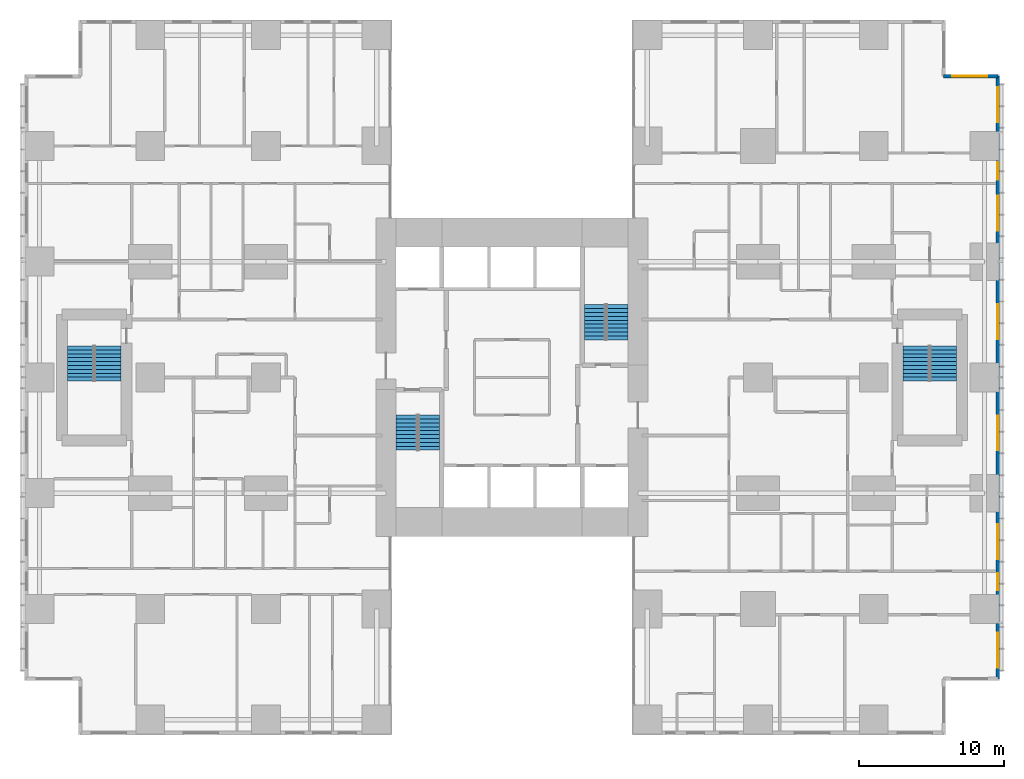
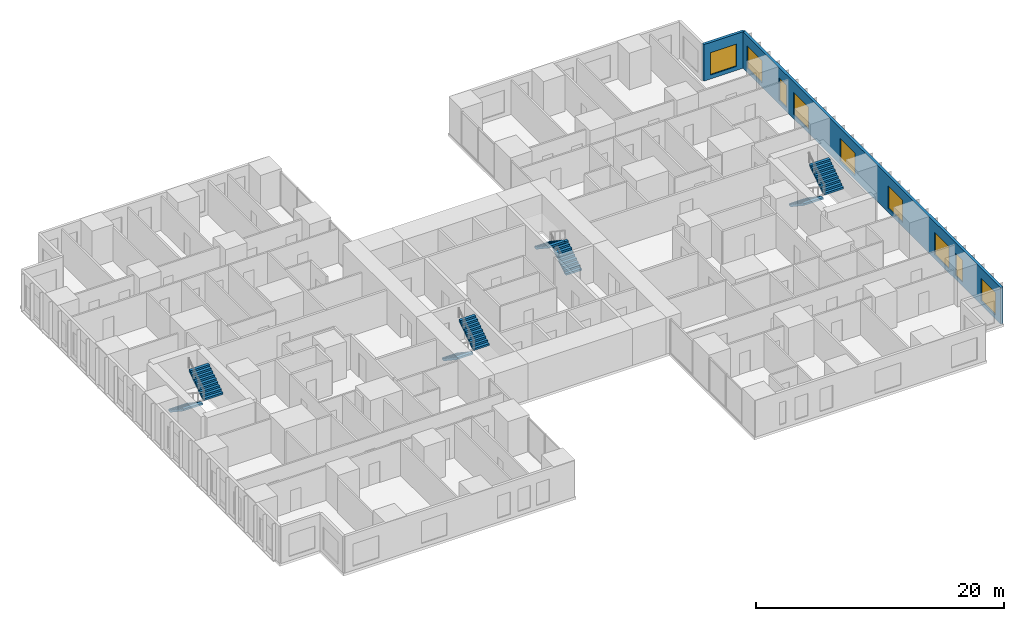
# One storey, part 19 of 20: 9 windows, 8 stair flights, 2 walls, 9 openings, 4 elements without a shape of their own.
"""IFC4 building model written with IfcOpenShell, lengths in metres."""

from ifc_helpers import new_model, si_unit, direction, frame, frame_2d, origin, place, context, subcontext, project, spatial, polyline, rectangle, outline, extrude, material, layer, layer_set, type_object, element, fill, aggregate, save


model = new_model("IFC4")

# Units and contexts
model_context = context("Model", 3, precision=1e-05, world=origin(), true_north=direction((0.0, 1.0)))
body_context = subcontext(model_context, "Body", "Model", "MODEL_VIEW")
ifc_project = project(units=[si_unit("LENGTHUNIT", "METRE"), si_unit("AREAUNIT", "SQUARE_METRE"), si_unit("VOLUMEUNIT", "CUBIC_METRE"), si_unit("PLANEANGLEUNIT", "RADIAN"), si_unit("MASSUNIT", "GRAM", prefix="KILO")], contexts=[model_context])

# Site, building, storey
site_placement = place(None, origin())
site = spatial("IfcSite", under=ifc_project, at=site_placement, CompositionType="ELEMENT")
building_placement = place(site_placement, origin())
building = spatial("IfcBuilding", under=site, at=building_placement, Name="Cleftline Residences", CompositionType="ELEMENT")
storey_placement = place(building_placement, frame((0.0, 0.0, 99.800048828125)))
storey = spatial("IfcBuildingStorey", under=building, at=storey_placement, Name="L25", CompositionType="ELEMENT", Elevation=99.800048828125)

# Wall, openings, windows
ifc_material_1 = material(Name="Rendered reinforced concrete blockwork", Category="masonry")
ifc_layer = layer(ifc_material_1, 0.25)
ifc_layer_set = layer_set([ifc_layer], Name="EXTERNAL WALL 250")
wall_type = type_object("IfcWallType", Name="EXTERNAL WALL 250", PredefinedType="SOLIDWALL", material=ifc_layer_set)
wall_1_placement = place(storey_placement, frame((66.574951171875, 3.175048828125, 0.0), z_axis=(0.0, 0.0, 1.0), x_axis=(0.0, 1.0, 0.0)))
wall_1 = element("IfcWall", 1, at=wall_1_placement, inside=storey, type_object=wall_type, Name="External wall", PredefinedType="SOLIDWALL", context=body_context, shape_type="SweptSolid", body=[
    extrude(rectangle(XDim=41.64990234375, YDim=0.25, at=frame_2d((20.824951171875, 0.0))), origin(), (0.0, 0.0, 1.0), 3.599853515625),
])
opening_1_placement = place(wall_1_placement, frame((0.77490234375, 0.0, 0.39990234375)))
opening_1 = element("IfcOpeningElement", 2, at=opening_1_placement, cuts=wall_1, Name="Opening W12", PredefinedType="OPENING", context=body_context, shape_type="SweptSolid", body=[
    extrude(rectangle(XDim=2.39990234375, YDim=2.199951171875, at=frame_2d((1.199951171875, 1.10009765625))), frame((0.0, 0.135009765625, 0.0), z_axis=(0.0, -1.0, 0.0), x_axis=(1.0, 0.0, 0.0)), (0.0, 0.0, 1.0), 0.27001953125),
])
opening_2_placement = place(wall_1_placement, frame((6.10009765625, 0.0, 0.39990234375)))
opening_2 = element("IfcOpeningElement", 3, at=opening_2_placement, cuts=wall_1, Name="Opening W11", PredefinedType="OPENING", context=body_context, shape_type="SweptSolid", body=[
    extrude(rectangle(XDim=1.199951171875, YDim=2.199951171875, at=frame_2d((0.60009765625, 1.10009765625))), frame((0.0, 0.135009765625, 0.0), z_axis=(0.0, -1.0, 0.0), x_axis=(1.0, 0.0, 0.0)), (0.0, 0.0, 1.0), 0.27001953125),
])
opening_3_placement = place(wall_1_placement, frame((8.27490234375, 0.0, 0.39990234375)))
opening_3 = element("IfcOpeningElement", 4, at=opening_3_placement, cuts=wall_1, Name="Opening W12", PredefinedType="OPENING", context=body_context, shape_type="SweptSolid", body=[
    extrude(rectangle(XDim=2.39990234375, YDim=2.199951171875, at=frame_2d((1.199951171875, 1.10009765625))), frame((0.0, 0.135009765625, 0.0), z_axis=(0.0, -1.0, 0.0), x_axis=(1.0, 0.0, 0.0)), (0.0, 0.0, 1.0), 0.27001953125),
])
opening_4_placement = place(wall_1_placement, frame((15.77490234375, 0.0, 0.39990234375)))
opening_4 = element("IfcOpeningElement", 5, at=opening_4_placement, cuts=wall_1, Name="Opening W12", PredefinedType="OPENING", context=body_context, shape_type="SweptSolid", body=[
    extrude(rectangle(XDim=2.39990234375, YDim=2.199951171875, at=frame_2d((1.199951171875, 1.10009765625))), frame((0.0, 0.135009765625, 0.0), z_axis=(0.0, -1.0, 0.0), x_axis=(1.0, 0.0, 0.0)), (0.0, 0.0, 1.0), 0.27001953125),
])
opening_5_placement = place(wall_1_placement, frame((23.47509765625, 0.0, 0.39990234375)))
opening_5 = element("IfcOpeningElement", 6, at=opening_5_placement, cuts=wall_1, Name="Opening W12", PredefinedType="OPENING", context=body_context, shape_type="SweptSolid", body=[
    extrude(rectangle(XDim=2.39990234375, YDim=2.199951171875, at=frame_2d((1.199951171875, 1.10009765625))), frame((0.0, 0.135009765625, 0.0), z_axis=(0.0, -1.0, 0.0), x_axis=(1.0, 0.0, 0.0)), (0.0, 0.0, 1.0), 0.27001953125),
])
opening_6_placement = place(wall_1_placement, frame((30.97509765625, 0.0, 0.39990234375)))
opening_6 = element("IfcOpeningElement", 7, at=opening_6_placement, cuts=wall_1, Name="Opening W12", PredefinedType="OPENING", context=body_context, shape_type="SweptSolid", body=[
    extrude(rectangle(XDim=2.39990234375, YDim=2.199951171875, at=frame_2d((1.199951171875, 1.10009765625))), frame((0.0, 0.135009765625, 0.0), z_axis=(0.0, -1.0, 0.0), x_axis=(1.0, 0.0, 0.0)), (0.0, 0.0, 1.0), 0.27001953125),
])
opening_7_placement = place(wall_1_placement, frame((34.5, 0.0, 0.39990234375)))
opening_7 = element("IfcOpeningElement", 8, at=opening_7_placement, cuts=wall_1, Name="Opening W11", PredefinedType="OPENING", context=body_context, shape_type="SweptSolid", body=[
    extrude(rectangle(XDim=1.199951171875, YDim=2.199951171875, at=frame_2d((0.60009765625, 1.10009765625))), frame((0.0, 0.135009765625, 0.0), z_axis=(0.0, -1.0, 0.0), x_axis=(1.0, 0.0, 0.0)), (0.0, 0.0, 1.0), 0.27001953125),
])
opening_8_placement = place(wall_1_placement, frame((38.47509765625, 0.0, 0.39990234375)))
opening_8 = element("IfcOpeningElement", 9, at=opening_8_placement, cuts=wall_1, Name="Opening W12", PredefinedType="OPENING", context=body_context, shape_type="SweptSolid", body=[
    extrude(rectangle(XDim=2.39990234375, YDim=2.199951171875, at=frame_2d((1.199951171875, 1.10009765625))), frame((0.0, 0.135009765625, 0.0), z_axis=(0.0, -1.0, 0.0), x_axis=(1.0, 0.0, 0.0)), (0.0, 0.0, 1.0), 0.27001953125),
])
ifc_material_2 = material(Name="Aluminium frame, clear double glazing", Category="aluminium")
window_type_1 = type_object("IfcWindowType", Name="WINDOW 1200X2200", PartitioningType="DOUBLE_PANEL_VERTICAL", PredefinedType="WINDOW", material=ifc_material_2)
window_1_placement = place(opening_2_placement, origin())
window_1 = element("IfcWindow", 10, at=window_1_placement, inside=storey, type_object=window_type_1, Name="Window", OverallHeight=2.199951171875, OverallWidth=1.199951171875, PartitioningType="SINGLE_PANEL", PredefinedType="WINDOW", context=body_context, shape_type="SweptSolid", body=[
    extrude(rectangle(XDim=1.199951171875, YDim=2.199951171875, at=frame_2d((0.60009765625, 1.10009765625))), frame((0.0, 0.030029296875, 0.0), z_axis=(0.0, -1.0, 0.0), x_axis=(1.0, 0.0, 0.0)), (0.0, 0.0, 1.0), 0.06005859375),
])
fill(opening_2, window_1)
window_2_placement = place(opening_7_placement, origin())
window_2 = element("IfcWindow", 11, at=window_2_placement, inside=storey, type_object=window_type_1, Name="Window", OverallHeight=2.199951171875, OverallWidth=1.199951171875, PartitioningType="SINGLE_PANEL", PredefinedType="WINDOW", context=body_context, shape_type="SweptSolid", body=[
    extrude(rectangle(XDim=1.199951171875, YDim=2.199951171875, at=frame_2d((0.60009765625, 1.10009765625))), frame((0.0, 0.030029296875, 0.0), z_axis=(0.0, -1.0, 0.0), x_axis=(1.0, 0.0, 0.0)), (0.0, 0.0, 1.0), 0.06005859375),
])
fill(opening_7, window_2)
ifc_material_3 = material(Name="Aluminium frame, clear double glazing", Category="aluminium")
window_type_2 = type_object("IfcWindowType", Name="WINDOW 2400X2200", PartitioningType="DOUBLE_PANEL_VERTICAL", PredefinedType="WINDOW", material=ifc_material_3)
window_3_placement = place(opening_1_placement, origin())
window_3 = element("IfcWindow", 12, at=window_3_placement, inside=storey, type_object=window_type_2, Name="Window", OverallHeight=2.199951171875, OverallWidth=2.39990234375, PartitioningType="SINGLE_PANEL", PredefinedType="WINDOW", context=body_context, shape_type="SweptSolid", body=[
    extrude(rectangle(XDim=2.39990234375, YDim=2.199951171875, at=frame_2d((1.199951171875, 1.10009765625))), frame((0.0, 0.030029296875, 0.0), z_axis=(0.0, -1.0, 0.0), x_axis=(1.0, 0.0, 0.0)), (0.0, 0.0, 1.0), 0.06005859375),
])
fill(opening_1, window_3)
window_4_placement = place(opening_3_placement, origin())
window_4 = element("IfcWindow", 13, at=window_4_placement, inside=storey, type_object=window_type_2, Name="Window", OverallHeight=2.199951171875, OverallWidth=2.39990234375, PartitioningType="SINGLE_PANEL", PredefinedType="WINDOW", context=body_context, shape_type="SweptSolid", body=[
    extrude(rectangle(XDim=2.39990234375, YDim=2.199951171875, at=frame_2d((1.199951171875, 1.10009765625))), frame((0.0, 0.030029296875, 0.0), z_axis=(0.0, -1.0, 0.0), x_axis=(1.0, 0.0, 0.0)), (0.0, 0.0, 1.0), 0.06005859375),
])
fill(opening_3, window_4)
window_5_placement = place(opening_4_placement, origin())
window_5 = element("IfcWindow", 14, at=window_5_placement, inside=storey, type_object=window_type_2, Name="Window", OverallHeight=2.199951171875, OverallWidth=2.39990234375, PartitioningType="SINGLE_PANEL", PredefinedType="WINDOW", context=body_context, shape_type="SweptSolid", body=[
    extrude(rectangle(XDim=2.39990234375, YDim=2.199951171875, at=frame_2d((1.199951171875, 1.10009765625))), frame((0.0, 0.030029296875, 0.0), z_axis=(0.0, -1.0, 0.0), x_axis=(1.0, 0.0, 0.0)), (0.0, 0.0, 1.0), 0.06005859375),
])
fill(opening_4, window_5)
window_6_placement = place(opening_5_placement, origin())
window_6 = element("IfcWindow", 15, at=window_6_placement, inside=storey, type_object=window_type_2, Name="Window", OverallHeight=2.199951171875, OverallWidth=2.39990234375, PartitioningType="SINGLE_PANEL", PredefinedType="WINDOW", context=body_context, shape_type="SweptSolid", body=[
    extrude(rectangle(XDim=2.39990234375, YDim=2.199951171875, at=frame_2d((1.199951171875, 1.10009765625))), frame((0.0, 0.030029296875, 0.0), z_axis=(0.0, -1.0, 0.0), x_axis=(1.0, 0.0, 0.0)), (0.0, 0.0, 1.0), 0.06005859375),
])
fill(opening_5, window_6)
window_7_placement = place(opening_6_placement, origin())
window_7 = element("IfcWindow", 16, at=window_7_placement, inside=storey, type_object=window_type_2, Name="Window", OverallHeight=2.199951171875, OverallWidth=2.39990234375, PartitioningType="SINGLE_PANEL", PredefinedType="WINDOW", context=body_context, shape_type="SweptSolid", body=[
    extrude(rectangle(XDim=2.39990234375, YDim=2.199951171875, at=frame_2d((1.199951171875, 1.10009765625))), frame((0.0, 0.030029296875, 0.0), z_axis=(0.0, -1.0, 0.0), x_axis=(1.0, 0.0, 0.0)), (0.0, 0.0, 1.0), 0.06005859375),
])
fill(opening_6, window_7)
window_8_placement = place(opening_8_placement, origin())
window_8 = element("IfcWindow", 17, at=window_8_placement, inside=storey, type_object=window_type_2, Name="Window", OverallHeight=2.199951171875, OverallWidth=2.39990234375, PartitioningType="SINGLE_PANEL", PredefinedType="WINDOW", context=body_context, shape_type="SweptSolid", body=[
    extrude(rectangle(XDim=2.39990234375, YDim=2.199951171875, at=frame_2d((1.199951171875, 1.10009765625))), frame((0.0, 0.030029296875, 0.0), z_axis=(0.0, -1.0, 0.0), x_axis=(1.0, 0.0, 0.0)), (0.0, 0.0, 1.0), 0.06005859375),
])
fill(opening_8, window_8)

# Wall, opening, window
wall_2_placement = place(storey_placement, frame((66.574951171875, 44.824951171875, 0.0), z_axis=(0.0, 0.0, 1.0), x_axis=(-1.0, 0.0, 0.0)))
wall_2 = element("IfcWall", 18, at=wall_2_placement, inside=storey, type_object=wall_type, Name="External wall", PredefinedType="SOLIDWALL", context=body_context, shape_type="SweptSolid", body=[
    extrude(rectangle(XDim=3.75, YDim=0.25, at=frame_2d((1.875, 0.0))), origin(), (0.0, 0.0, 1.0), 3.599853515625),
])
opening_9_placement = place(wall_2_placement, frame((0.737548828125, 0.0, 0.39990234375)))
opening_9 = element("IfcOpeningElement", 19, at=opening_9_placement, cuts=wall_2, Name="Opening W12", PredefinedType="OPENING", context=body_context, shape_type="SweptSolid", body=[
    extrude(rectangle(XDim=2.39990234375, YDim=2.199951171875, at=frame_2d((1.199951171875, 1.10009765625))), frame((0.0, 0.135009765625, 0.0), z_axis=(0.0, -1.0, 0.0), x_axis=(1.0, 0.0, 0.0)), (0.0, 0.0, 1.0), 0.27001953125),
])
window_9_placement = place(opening_9_placement, origin())
window_9 = element("IfcWindow", 20, at=window_9_placement, inside=storey, type_object=window_type_2, Name="Window", OverallHeight=2.199951171875, OverallWidth=2.39990234375, PartitioningType="SINGLE_PANEL", PredefinedType="WINDOW", context=body_context, shape_type="SweptSolid", body=[
    extrude(rectangle(XDim=2.39990234375, YDim=2.199951171875, at=frame_2d((1.199951171875, 1.10009765625))), frame((0.0, 0.030029296875, 0.0), z_axis=(0.0, -1.0, 0.0), x_axis=(1.0, 0.0, 0.0)), (0.0, 0.0, 1.0), 0.06005859375),
])
fill(opening_9, window_9)

# Stair, stair flights
ifc_material_4 = material(Name="Concrete B45, stone treads", Category="masonry")
stair_type_1 = type_object("IfcStairType", Name="STAIR A 1450 WIDE 180 RISER", PredefinedType="HALF_TURN_STAIR", material=ifc_material_4)
stair_1_placement = place(storey_placement, origin())
stair_1 = element("IfcStair", 21, at=stair_1_placement, inside=storey, type_object=stair_type_1, Name="Stair A L25", PredefinedType="HALF_TURN_STAIR")
ifc_material_5 = material(Name="Concrete B45", Category="concrete")
stair_flight_type_1 = type_object("IfcStairFlightType", Name="STAIR A FLIGHT 1450X180", PredefinedType="STRAIGHT", material=ifc_material_5)
stair_flight_1_placement = place(storey_placement, frame((25.72509765625, 21.39990234375, 0.0), z_axis=(0.0, 0.0, 1.0), x_axis=(0.0, -1.0, 0.0)))
stair_flight_1 = element("IfcStairFlight", 22, at=stair_flight_1_placement, type_object=stair_flight_type_1, Name="ST-A flight 1", NumberOfRisers=10, NumberOfTreads=9, PredefinedType="STRAIGHT", RiserHeight=0.18, TreadLength=0.27, context=body_context, shape_type="SweptSolid", body=[
    extrude(outline(polyline([(0.0, 0.0), (0.0, 0.013916015625), (0.0, 0.027587890625), (0.0, 0.04150390625), (0.0, 0.055419921875), (0.0, 0.0693359375), (0.0, 0.0830078125), (0.0, 0.096923828125), (0.0, 0.11083984375), (0.0, 0.12451171875), (0.0, 0.138427734375), (0.0, 0.15234375), (0.0, 0.166259765625), (0.0, 0.179931640625), (0.27001953125, 0.179931640625), (0.27001953125, 0.360107421875), (0.5400390625, 0.360107421875), (0.5400390625, 0.5400390625), (0.81005859375, 0.5400390625), (0.81005859375, 0.719970703125), (1.080078125, 0.719970703125), (1.080078125, 0.89990234375), (1.35009765625, 0.89990234375), (1.35009765625, 1.080078125), (1.6201171875, 1.080078125), (1.6201171875, 1.260009765625), (1.889892578125, 1.260009765625), (1.889892578125, 1.43994140625), (2.159912109375, 1.43994140625), (2.159912109375, 1.6201171875), (2.429931640625, 1.6201171875), (2.429931640625, 1.800048828125), (2.429931640625, 1.772216796875), (2.429931640625, 1.74462890625), (2.429931640625, 1.716796875), (2.429931640625, 1.689208984375), (2.429931640625, 1.661376953125), (2.429931640625, 1.6337890625), (2.429931640625, 1.60595703125), (2.429931640625, 1.578369140625), (2.429931640625, 1.550537109375), (2.429931640625, 1.52294921875), (2.429931640625, 1.495361328125), (2.429931640625, 1.467529296875), (2.429931640625, 1.43994140625), (0.270263671875, 0.0), (0.0, 0.0)])), frame((0.0, 0.72509765625, 0.0), z_axis=(0.0, -1.0, 0.0), x_axis=(1.0, 0.0, 0.0)), (0.0, 0.0, 1.0), 1.449951171875),
])
stair_flight_2_placement = place(storey_placement, frame((27.27490234375, 18.969970703125, 1.800048828125), z_axis=(0.0, 0.0, 1.0), x_axis=(0.0, 1.0, 0.0)))
stair_flight_2 = element("IfcStairFlight", 23, at=stair_flight_2_placement, type_object=stair_flight_type_1, Name="ST-A flight 2", NumberOfRisers=10, NumberOfTreads=9, PredefinedType="STRAIGHT", RiserHeight=0.18, TreadLength=0.27, context=body_context, shape_type="SweptSolid", body=[
    extrude(outline(polyline([(0.0, 0.0), (0.0, 0.013916015625), (0.0, 0.027587890625), (0.0, 0.04150390625), (0.0, 0.055419921875), (0.0, 0.0693359375), (0.0, 0.0830078125), (0.0, 0.096923828125), (0.0, 0.11083984375), (0.0, 0.12451171875), (0.0, 0.138427734375), (0.0, 0.15234375), (0.0, 0.166259765625), (0.0, 0.179931640625), (0.27001953125, 0.179931640625), (0.27001953125, 0.360107421875), (0.5400390625, 0.360107421875), (0.5400390625, 0.5400390625), (0.81005859375, 0.5400390625), (0.81005859375, 0.719970703125), (1.080078125, 0.719970703125), (1.080078125, 0.89990234375), (1.35009765625, 0.89990234375), (1.35009765625, 1.080078125), (1.6201171875, 1.080078125), (1.6201171875, 1.260009765625), (1.889892578125, 1.260009765625), (1.889892578125, 1.43994140625), (2.159912109375, 1.43994140625), (2.159912109375, 1.6201171875), (2.429931640625, 1.6201171875), (2.429931640625, 1.800048828125), (2.429931640625, 1.772216796875), (2.429931640625, 1.74462890625), (2.429931640625, 1.716796875), (2.429931640625, 1.689208984375), (2.429931640625, 1.661376953125), (2.429931640625, 1.6337890625), (2.429931640625, 1.60595703125), (2.429931640625, 1.578369140625), (2.429931640625, 1.550537109375), (2.429931640625, 1.52294921875), (2.429931640625, 1.495361328125), (2.429931640625, 1.467529296875), (2.429931640625, 1.43994140625), (0.270263671875, 0.0), (0.0, 0.0)])), frame((0.0, 0.72509765625, 0.0), z_axis=(0.0, -1.0, 0.0), x_axis=(1.0, 0.0, 0.0)), (0.0, 0.0, 1.0), 1.449951171875),
])
aggregate(stair_1, [stair_flight_1, stair_flight_2])

ifc_material_6 = material(Name="Concrete B45, stone treads", Category="masonry")
stair_type_2 = type_object("IfcStairType", Name="STAIR B 1450 WIDE 180 RISER", PredefinedType="HALF_TURN_STAIR", material=ifc_material_6)
stair_2_placement = place(storey_placement, origin())
stair_2 = element("IfcStair", 24, at=stair_2_placement, inside=storey, type_object=stair_type_2, Name="Stair B L25", PredefinedType="HALF_TURN_STAIR")
ifc_material_7 = material(Name="Concrete B45", Category="concrete")
stair_flight_type_2 = type_object("IfcStairFlightType", Name="STAIR B FLIGHT 1450X180", PredefinedType="STRAIGHT", material=ifc_material_7)
stair_flight_3_placement = place(storey_placement, frame((40.27490234375, 26.60009765625, 0.0), z_axis=(0.0, 0.0, 1.0), x_axis=(0.0, 1.0, 0.0)))
stair_flight_3 = element("IfcStairFlight", 25, at=stair_flight_3_placement, type_object=stair_flight_type_2, Name="ST-B flight 1", NumberOfRisers=10, NumberOfTreads=9, PredefinedType="STRAIGHT", RiserHeight=0.18, TreadLength=0.27, context=body_context, shape_type="SweptSolid", body=[
    extrude(outline(polyline([(0.0, 0.0), (0.0, 0.013916015625), (0.0, 0.027587890625), (0.0, 0.04150390625), (0.0, 0.055419921875), (0.0, 0.0693359375), (0.0, 0.0830078125), (0.0, 0.096923828125), (0.0, 0.11083984375), (0.0, 0.12451171875), (0.0, 0.138427734375), (0.0, 0.15234375), (0.0, 0.166259765625), (0.0, 0.179931640625), (0.27001953125, 0.179931640625), (0.27001953125, 0.360107421875), (0.5400390625, 0.360107421875), (0.5400390625, 0.5400390625), (0.81005859375, 0.5400390625), (0.81005859375, 0.719970703125), (1.080078125, 0.719970703125), (1.080078125, 0.89990234375), (1.35009765625, 0.89990234375), (1.35009765625, 1.080078125), (1.6201171875, 1.080078125), (1.6201171875, 1.260009765625), (1.889892578125, 1.260009765625), (1.889892578125, 1.43994140625), (2.159912109375, 1.43994140625), (2.159912109375, 1.6201171875), (2.429931640625, 1.6201171875), (2.429931640625, 1.800048828125), (2.429931640625, 1.772216796875), (2.429931640625, 1.74462890625), (2.429931640625, 1.716796875), (2.429931640625, 1.689208984375), (2.429931640625, 1.661376953125), (2.429931640625, 1.6337890625), (2.429931640625, 1.60595703125), (2.429931640625, 1.578369140625), (2.429931640625, 1.550537109375), (2.429931640625, 1.52294921875), (2.429931640625, 1.495361328125), (2.429931640625, 1.467529296875), (2.429931640625, 1.43994140625), (0.270263671875, 0.0), (0.0, 0.0)])), frame((0.0, 0.72509765625, 0.0), z_axis=(0.0, -1.0, 0.0), x_axis=(1.0, 0.0, 0.0)), (0.0, 0.0, 1.0), 1.449951171875),
])
stair_flight_4_placement = place(storey_placement, frame((38.72509765625, 29.030029296875, 1.800048828125), z_axis=(0.0, 0.0, 1.0), x_axis=(0.0, -1.0, 0.0)))
stair_flight_4 = element("IfcStairFlight", 26, at=stair_flight_4_placement, type_object=stair_flight_type_2, Name="ST-B flight 2", NumberOfRisers=10, NumberOfTreads=9, PredefinedType="STRAIGHT", RiserHeight=0.18, TreadLength=0.27, context=body_context, shape_type="SweptSolid", body=[
    extrude(outline(polyline([(0.0, 0.0), (0.0, 0.013916015625), (0.0, 0.027587890625), (0.0, 0.04150390625), (0.0, 0.055419921875), (0.0, 0.0693359375), (0.0, 0.0830078125), (0.0, 0.096923828125), (0.0, 0.11083984375), (0.0, 0.12451171875), (0.0, 0.138427734375), (0.0, 0.15234375), (0.0, 0.166259765625), (0.0, 0.179931640625), (0.27001953125, 0.179931640625), (0.27001953125, 0.360107421875), (0.5400390625, 0.360107421875), (0.5400390625, 0.5400390625), (0.81005859375, 0.5400390625), (0.81005859375, 0.719970703125), (1.080078125, 0.719970703125), (1.080078125, 0.89990234375), (1.35009765625, 0.89990234375), (1.35009765625, 1.080078125), (1.6201171875, 1.080078125), (1.6201171875, 1.260009765625), (1.889892578125, 1.260009765625), (1.889892578125, 1.43994140625), (2.159912109375, 1.43994140625), (2.159912109375, 1.6201171875), (2.429931640625, 1.6201171875), (2.429931640625, 1.800048828125), (2.429931640625, 1.772216796875), (2.429931640625, 1.74462890625), (2.429931640625, 1.716796875), (2.429931640625, 1.689208984375), (2.429931640625, 1.661376953125), (2.429931640625, 1.6337890625), (2.429931640625, 1.60595703125), (2.429931640625, 1.578369140625), (2.429931640625, 1.550537109375), (2.429931640625, 1.52294921875), (2.429931640625, 1.495361328125), (2.429931640625, 1.467529296875), (2.429931640625, 1.43994140625), (0.270263671875, 0.0), (0.0, 0.0)])), frame((0.0, 0.72509765625, 0.0), z_axis=(0.0, -1.0, 0.0), x_axis=(1.0, 0.0, 0.0)), (0.0, 0.0, 1.0), 1.449951171875),
])
aggregate(stair_2, [stair_flight_3, stair_flight_4])

ifc_material_8 = material(Name="Concrete B45, stone treads", Category="masonry")
stair_type_3 = type_object("IfcStairType", Name="STAIR E 1800 WIDE 180 RISER", PredefinedType="HALF_TURN_STAIR", material=ifc_material_8)
stair_3_placement = place(storey_placement, origin())
stair_3 = element("IfcStair", 27, at=stair_3_placement, inside=storey, type_object=stair_type_3, Name="Stair E L25", PredefinedType="HALF_TURN_STAIR")
ifc_material_9 = material(Name="Concrete B45", Category="concrete")
stair_flight_type_3 = type_object("IfcStairFlightType", Name="STAIR E FLIGHT 1800X180", PredefinedType="STRAIGHT", material=ifc_material_9)
stair_flight_5_placement = place(storey_placement, frame((60.925048828125, 26.175048828125, 0.0), z_axis=(0.0, 0.0, 1.0), x_axis=(0.0, -1.0, 0.0)))
stair_flight_5 = element("IfcStairFlight", 28, at=stair_flight_5_placement, type_object=stair_flight_type_3, Name="ST-E flight 1", NumberOfRisers=10, NumberOfTreads=9, PredefinedType="STRAIGHT", RiserHeight=0.18, TreadLength=0.27, context=body_context, shape_type="SweptSolid", body=[
    extrude(outline(polyline([(0.0, 0.0), (0.0, 0.013916015625), (0.0, 0.027587890625), (0.0, 0.04150390625), (0.0, 0.055419921875), (0.0, 0.0693359375), (0.0, 0.0830078125), (0.0, 0.096923828125), (0.0, 0.11083984375), (0.0, 0.12451171875), (0.0, 0.138427734375), (0.0, 0.15234375), (0.0, 0.166259765625), (0.0, 0.179931640625), (0.27001953125, 0.179931640625), (0.27001953125, 0.360107421875), (0.5400390625, 0.360107421875), (0.5400390625, 0.5400390625), (0.81005859375, 0.5400390625), (0.81005859375, 0.719970703125), (1.080078125, 0.719970703125), (1.080078125, 0.89990234375), (1.35009765625, 0.89990234375), (1.35009765625, 1.080078125), (1.6201171875, 1.080078125), (1.6201171875, 1.260009765625), (1.889892578125, 1.260009765625), (1.889892578125, 1.43994140625), (2.159912109375, 1.43994140625), (2.159912109375, 1.6201171875), (2.429931640625, 1.6201171875), (2.429931640625, 1.800048828125), (2.429931640625, 1.772216796875), (2.429931640625, 1.74462890625), (2.429931640625, 1.716796875), (2.429931640625, 1.689208984375), (2.429931640625, 1.661376953125), (2.429931640625, 1.6337890625), (2.429931640625, 1.60595703125), (2.429931640625, 1.578369140625), (2.429931640625, 1.550537109375), (2.429931640625, 1.52294921875), (2.429931640625, 1.495361328125), (2.429931640625, 1.467529296875), (2.429931640625, 1.43994140625), (0.270263671875, 0.0), (0.0, 0.0)])), frame((0.0, 0.89990234375, 0.0), z_axis=(0.0, -1.0, 0.0), x_axis=(1.0, 0.0, 0.0)), (0.0, 0.0, 1.0), 1.800048828125),
])
stair_flight_6_placement = place(storey_placement, frame((62.824951171875, 23.7451171875, 1.800048828125), z_axis=(0.0, 0.0, 1.0), x_axis=(0.0, 1.0, 0.0)))
stair_flight_6 = element("IfcStairFlight", 29, at=stair_flight_6_placement, type_object=stair_flight_type_3, Name="ST-E flight 2", NumberOfRisers=10, NumberOfTreads=9, PredefinedType="STRAIGHT", RiserHeight=0.18, TreadLength=0.27, context=body_context, shape_type="SweptSolid", body=[
    extrude(outline(polyline([(0.0, 0.0), (0.0, 0.013916015625), (0.0, 0.027587890625), (0.0, 0.04150390625), (0.0, 0.055419921875), (0.0, 0.0693359375), (0.0, 0.0830078125), (0.0, 0.096923828125), (0.0, 0.11083984375), (0.0, 0.12451171875), (0.0, 0.138427734375), (0.0, 0.15234375), (0.0, 0.166259765625), (0.0, 0.179931640625), (0.27001953125, 0.179931640625), (0.27001953125, 0.360107421875), (0.5400390625, 0.360107421875), (0.5400390625, 0.5400390625), (0.81005859375, 0.5400390625), (0.81005859375, 0.719970703125), (1.080078125, 0.719970703125), (1.080078125, 0.89990234375), (1.35009765625, 0.89990234375), (1.35009765625, 1.080078125), (1.6201171875, 1.080078125), (1.6201171875, 1.260009765625), (1.889892578125, 1.260009765625), (1.889892578125, 1.43994140625), (2.159912109375, 1.43994140625), (2.159912109375, 1.6201171875), (2.429931640625, 1.6201171875), (2.429931640625, 1.800048828125), (2.429931640625, 1.772216796875), (2.429931640625, 1.74462890625), (2.429931640625, 1.716796875), (2.429931640625, 1.689208984375), (2.429931640625, 1.661376953125), (2.429931640625, 1.6337890625), (2.429931640625, 1.60595703125), (2.429931640625, 1.578369140625), (2.429931640625, 1.550537109375), (2.429931640625, 1.52294921875), (2.429931640625, 1.495361328125), (2.429931640625, 1.467529296875), (2.429931640625, 1.43994140625), (0.270263671875, 0.0), (0.0, 0.0)])), frame((0.0, 0.89990234375, 0.0), z_axis=(0.0, -1.0, 0.0), x_axis=(1.0, 0.0, 0.0)), (0.0, 0.0, 1.0), 1.800048828125),
])
aggregate(stair_3, [stair_flight_5, stair_flight_6])

ifc_material_10 = material(Name="Concrete B45, stone treads", Category="masonry")
stair_type_4 = type_object("IfcStairType", Name="STAIR W 1800 WIDE 180 RISER", PredefinedType="HALF_TURN_STAIR", material=ifc_material_10)
stair_4_placement = place(storey_placement, origin())
stair_4 = element("IfcStair", 30, at=stair_4_placement, inside=storey, type_object=stair_type_4, Name="Stair W L25", PredefinedType="HALF_TURN_STAIR")
ifc_material_11 = material(Name="Concrete B45", Category="concrete")
stair_flight_type_4 = type_object("IfcStairFlightType", Name="STAIR W FLIGHT 1800X180", PredefinedType="STRAIGHT", material=ifc_material_11)
stair_flight_7_placement = place(storey_placement, frame((3.175048828125, 26.175048828125, 0.0), z_axis=(0.0, 0.0, 1.0), x_axis=(0.0, -1.0, 0.0)))
stair_flight_7 = element("IfcStairFlight", 31, at=stair_flight_7_placement, type_object=stair_flight_type_4, Name="ST-W flight 1", NumberOfRisers=10, NumberOfTreads=9, PredefinedType="STRAIGHT", RiserHeight=0.18, TreadLength=0.27, context=body_context, shape_type="SweptSolid", body=[
    extrude(outline(polyline([(0.0, 0.0), (0.0, 0.013916015625), (0.0, 0.027587890625), (0.0, 0.04150390625), (0.0, 0.055419921875), (0.0, 0.0693359375), (0.0, 0.0830078125), (0.0, 0.096923828125), (0.0, 0.11083984375), (0.0, 0.12451171875), (0.0, 0.138427734375), (0.0, 0.15234375), (0.0, 0.166259765625), (0.0, 0.179931640625), (0.27001953125, 0.179931640625), (0.27001953125, 0.360107421875), (0.5400390625, 0.360107421875), (0.5400390625, 0.5400390625), (0.81005859375, 0.5400390625), (0.81005859375, 0.719970703125), (1.080078125, 0.719970703125), (1.080078125, 0.89990234375), (1.35009765625, 0.89990234375), (1.35009765625, 1.080078125), (1.6201171875, 1.080078125), (1.6201171875, 1.260009765625), (1.889892578125, 1.260009765625), (1.889892578125, 1.43994140625), (2.159912109375, 1.43994140625), (2.159912109375, 1.6201171875), (2.429931640625, 1.6201171875), (2.429931640625, 1.800048828125), (2.429931640625, 1.772216796875), (2.429931640625, 1.74462890625), (2.429931640625, 1.716796875), (2.429931640625, 1.689208984375), (2.429931640625, 1.661376953125), (2.429931640625, 1.6337890625), (2.429931640625, 1.60595703125), (2.429931640625, 1.578369140625), (2.429931640625, 1.550537109375), (2.429931640625, 1.52294921875), (2.429931640625, 1.495361328125), (2.429931640625, 1.467529296875), (2.429931640625, 1.43994140625), (0.270263671875, 0.0), (0.0, 0.0)])), frame((0.0, 0.89990234375, 0.0), z_axis=(0.0, -1.0, 0.0), x_axis=(1.0, 0.0, 0.0)), (0.0, 0.0, 1.0), 1.800048828125),
])
stair_flight_8_placement = place(storey_placement, frame((5.074951171875, 23.7451171875, 1.800048828125), z_axis=(0.0, 0.0, 1.0), x_axis=(0.0, 1.0, 0.0)))
stair_flight_8 = element("IfcStairFlight", 32, at=stair_flight_8_placement, type_object=stair_flight_type_4, Name="ST-W flight 2", NumberOfRisers=10, NumberOfTreads=9, PredefinedType="STRAIGHT", RiserHeight=0.18, TreadLength=0.27, context=body_context, shape_type="SweptSolid", body=[
    extrude(outline(polyline([(0.0, 0.0), (0.0, 0.013916015625), (0.0, 0.027587890625), (0.0, 0.04150390625), (0.0, 0.055419921875), (0.0, 0.0693359375), (0.0, 0.0830078125), (0.0, 0.096923828125), (0.0, 0.11083984375), (0.0, 0.12451171875), (0.0, 0.138427734375), (0.0, 0.15234375), (0.0, 0.166259765625), (0.0, 0.179931640625), (0.27001953125, 0.179931640625), (0.27001953125, 0.360107421875), (0.5400390625, 0.360107421875), (0.5400390625, 0.5400390625), (0.81005859375, 0.5400390625), (0.81005859375, 0.719970703125), (1.080078125, 0.719970703125), (1.080078125, 0.89990234375), (1.35009765625, 0.89990234375), (1.35009765625, 1.080078125), (1.6201171875, 1.080078125), (1.6201171875, 1.260009765625), (1.889892578125, 1.260009765625), (1.889892578125, 1.43994140625), (2.159912109375, 1.43994140625), (2.159912109375, 1.6201171875), (2.429931640625, 1.6201171875), (2.429931640625, 1.800048828125), (2.429931640625, 1.772216796875), (2.429931640625, 1.74462890625), (2.429931640625, 1.716796875), (2.429931640625, 1.689208984375), (2.429931640625, 1.661376953125), (2.429931640625, 1.6337890625), (2.429931640625, 1.60595703125), (2.429931640625, 1.578369140625), (2.429931640625, 1.550537109375), (2.429931640625, 1.52294921875), (2.429931640625, 1.495361328125), (2.429931640625, 1.467529296875), (2.429931640625, 1.43994140625), (0.270263671875, 0.0), (0.0, 0.0)])), frame((0.0, 0.89990234375, 0.0), z_axis=(0.0, -1.0, 0.0), x_axis=(1.0, 0.0, 0.0)), (0.0, 0.0, 1.0), 1.800048828125),
])
aggregate(stair_4, [stair_flight_7, stair_flight_8])

save(model, "model.ifc")
